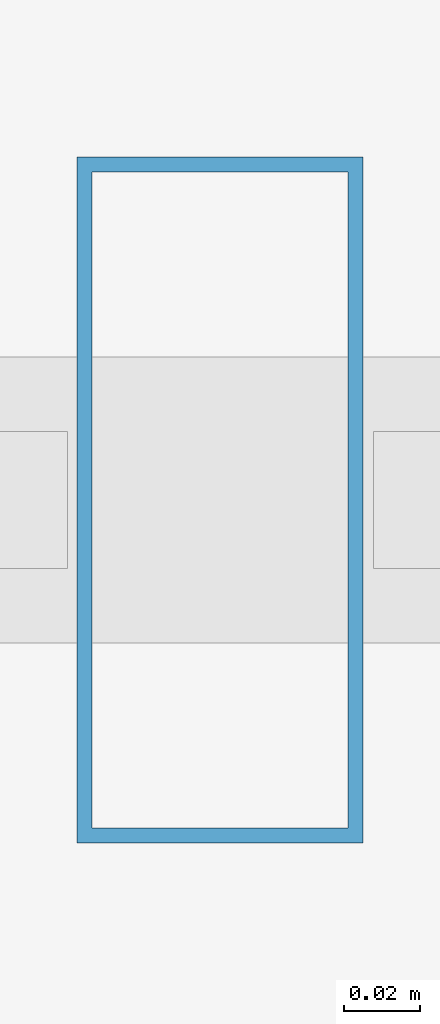
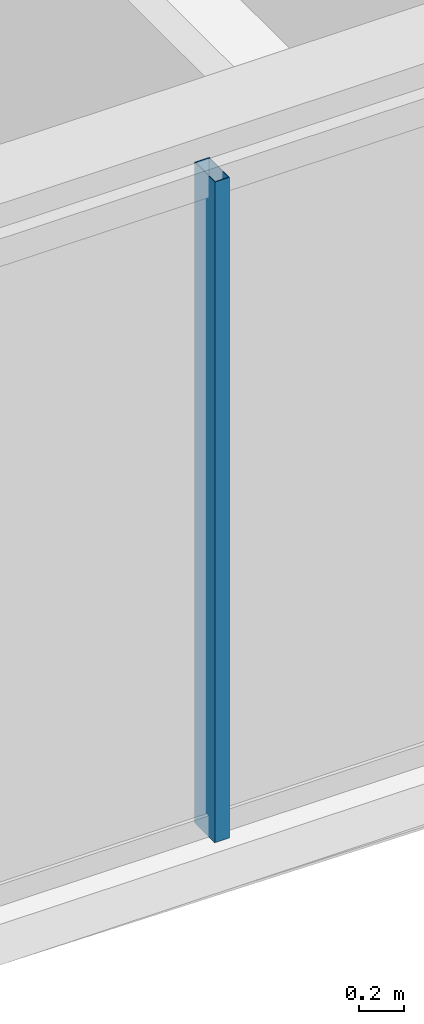
# One storey, part 5 of 34: 1 member, 1 element without a shape of its own.
"""IFC4 building model written with IfcOpenShell, lengths in metres."""

from ifc_helpers import new_model, si_unit, direction, frame, origin, origin_2d, place, context, subcontext, project, spatial, hollow_rectangle, extrude, material, layer, layer_set, material_profile, profile_set, type_object, element, aggregate, save


model = new_model("IFC4")

# Units and contexts
model_context = context("Model", 3, precision=1e-05, world=origin(), true_north=direction((0.0, 1.0)))
body_context = subcontext(model_context, "Body", "Model", "MODEL_VIEW")
ifc_project = project(units=[si_unit("LENGTHUNIT", "METRE"), si_unit("AREAUNIT", "SQUARE_METRE"), si_unit("VOLUMEUNIT", "CUBIC_METRE"), si_unit("PLANEANGLEUNIT", "RADIAN"), si_unit("MASSUNIT", "GRAM", prefix="KILO")], contexts=[model_context])

# Site, building, storey
site_placement = place(None, origin())
site = spatial("IfcSite", under=ifc_project, at=site_placement, CompositionType="ELEMENT")
building_placement = place(site_placement, origin())
building = spatial("IfcBuilding", under=site, at=building_placement, Name="Ndaravel Arena Tower", CompositionType="ELEMENT")
storey_placement = place(building_placement, frame((0.0, 0.0, 267.39990234375)))
storey = spatial("IfcBuildingStorey", under=building, at=storey_placement, Name="L65", CompositionType="ELEMENT", Elevation=267.39990234375)

# Curtain wall, member
ifc_material_1 = material(Name="Aluminium", Category="aluminium")
ifc_layer = layer(ifc_material_1, 0.179931640625)
ifc_layer_set = layer_set([ifc_layer], Name="Aluminium")
curtain_wall_type = type_object("IfcCurtainWallType", Name="CW-SYS-03", PredefinedType="NOTDEFINED", material=ifc_layer_set)
curtain_wall_placement = place(storey_placement, origin())
curtain_wall = element("IfcCurtainWall", 1, at=curtain_wall_placement, inside=storey, type_object=curtain_wall_type, Name="L65 Faceted Crystal Curtain Wall CW-L65-E01", PredefinedType="NOTDEFINED")
ifc_material_2 = material(Name="Aluminium", Category="aluminium")
ifc_material_profile = material_profile(ifc_material_2, hollow_rectangle(XDim=0.074951171875, YDim=0.179931640625, WallThickness=0.00390625, at=origin_2d()), Name="CW MULLION 75x180x4")
ifc_profile_set = profile_set([ifc_material_profile], Name="Aluminium")
member_type = type_object("IfcMemberType", Name="MEM-CW-MUL180", PredefinedType="MULLION", material=ifc_profile_set)
member_placement = place(storey_placement, frame((35.3662109375, 5.159912109375, 0.0), z_axis=(0.0, 0.0, 1.0), x_axis=(1.0, 0.0, 0.0)))
member = element("IfcMember", 2, at=member_placement, type_object=member_type, Name="CW-L65-E01 Mullion 03", PredefinedType="MULLION", context=body_context, shape_type="SweptSolid", body=[
    extrude(hollow_rectangle(XDim=0.074951171875, YDim=0.179931640625, WallThickness=0.00390625, at=origin_2d()), origin(), (0.0, 0.0, 1.0), 3.580078125),
])
aggregate(curtain_wall, [member])

save(model, "model.ifc")
